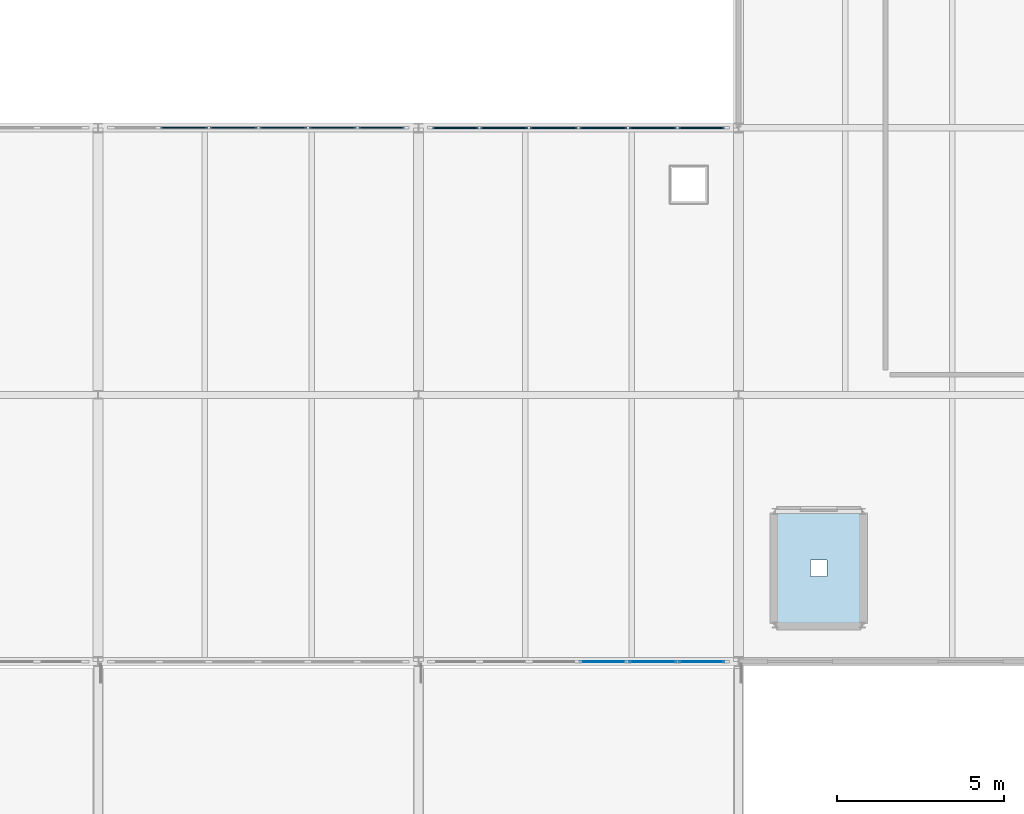
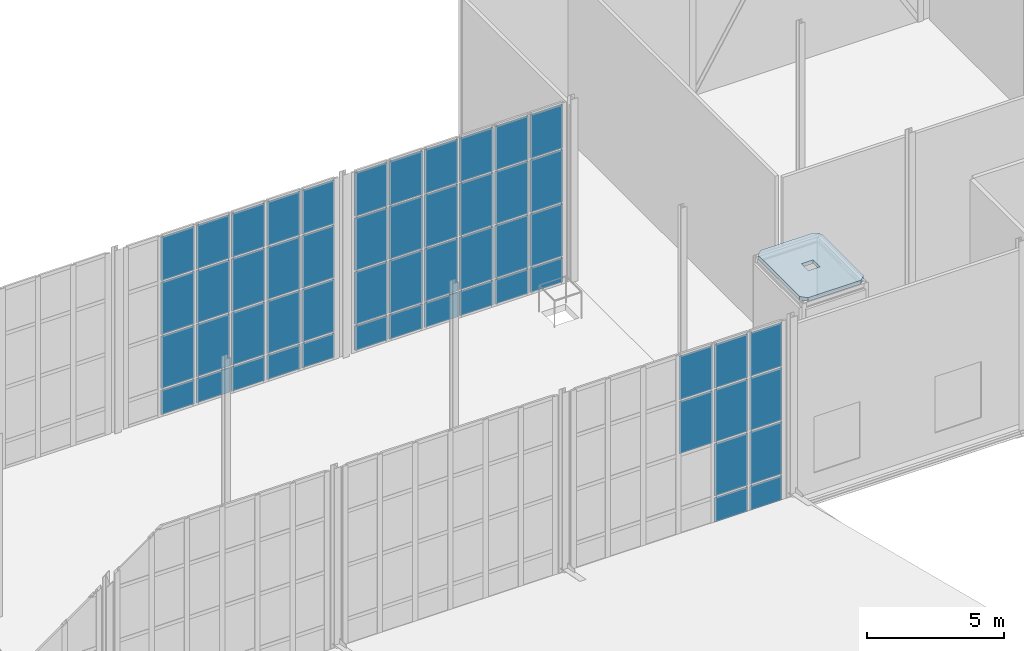
# One storey, part 54 of 73: 54 plates, 1 slab, 3 elements without a shape of their own.
"""IFC4 building model written with IfcOpenShell, lengths in metres."""

from ifc_helpers import new_model, si_unit, direction, frame, origin, origin_2d, place, context, subcontext, project, spatial, polyline, rectangle, outline, extrude, material, layer, layer_set, type_object, element, aggregate, save


model = new_model("IFC4")

# Units and contexts
model_context = context("Model", 3, precision=1e-05, world=origin(), true_north=direction((0.0, 1.0)))
body_context = subcontext(model_context, "Body", "Model", "MODEL_VIEW")
ifc_project = project(units=[si_unit("LENGTHUNIT", "METRE"), si_unit("AREAUNIT", "SQUARE_METRE"), si_unit("VOLUMEUNIT", "CUBIC_METRE"), si_unit("PLANEANGLEUNIT", "RADIAN"), si_unit("MASSUNIT", "GRAM", prefix="KILO")], contexts=[model_context])

# Site, building, storey
site_placement = place(None, origin())
site = spatial("IfcSite", under=ifc_project, at=site_placement, CompositionType="ELEMENT")
building_placement = place(site_placement, origin())
building = spatial("IfcBuilding", under=site, at=building_placement, Name="Alderhovde Museum", CompositionType="ELEMENT")
storey_placement = place(building_placement, frame((0.0, 0.0, 17.39990234375)))
storey = spatial("IfcBuildingStorey", under=building, at=storey_placement, Name="L04", CompositionType="ELEMENT", Elevation=17.39990234375)

# Curtain wall, plates
ifc_material_1 = material(Name="Triple-Glazed Bronze-Anodised Curtain Wall", Category="glass")
ifc_layer_1 = layer(ifc_material_1, 0.219970703125)
ifc_layer_set_1 = layer_set([ifc_layer_1], Name="Triple-Glazed Bronze-Anodised Curtain Wall")
curtain_wall_type = type_object("IfcCurtainWallType", Name="CW-UNIT-890x805", PredefinedType="USERDEFINED", material=ifc_layer_set_1)
curtain_wall_1_placement = place(storey_placement, origin())
curtain_wall_1 = element("IfcCurtainWall", 1, at=curtain_wall_1_placement, inside=storey, type_object=curtain_wall_type, Name="L04 Unitised Curtain Wall 88", ObjectType="UNITISED CURTAIN WALL", PredefinedType="USERDEFINED")
ifc_material_2 = material(Name="Triple-Glazed Low-E Laminated Glass", Category="glass")
ifc_layer_2 = layer(ifc_material_2, 0.028076171875)
ifc_layer_set_2 = layer_set([ifc_layer_2], Name="Triple-Glazed Low-E Laminated Glass")
plate_type_1 = type_object("IfcPlateType", Name="CWP-GLAZ-28", PredefinedType="CURTAIN_PANEL", material=ifc_layer_set_2)
plate_1_placement = place(storey_placement, frame((111.1416015625, 72.0, 3.6376953125), z_axis=(0.0, 0.0, 1.0), x_axis=(1.0, 0.0, 0.0)))
plate_1 = element("IfcPlate", 2, at=plate_1_placement, type_object=plate_type_1, Name="CW21 panel 4.3", PredefinedType="CURTAIN_PANEL", context=body_context, shape_type="SweptSolid", body=[
    extrude(rectangle(XDim=1.408447265625, YDim=0.028076171875, at=origin_2d()), origin(), (0.0, 0.0, 1.0), 2.324951171875),
])
plate_2_placement = place(storey_placement, frame((111.1416015625, 72.0, 6.03759765625), z_axis=(0.0, 0.0, 1.0), x_axis=(1.0, 0.0, 0.0)))
plate_2 = element("IfcPlate", 3, at=plate_2_placement, type_object=plate_type_1, Name="CW21 panel 4.4", PredefinedType="CURTAIN_PANEL", context=body_context, shape_type="SweptSolid", body=[
    extrude(rectangle(XDim=1.408447265625, YDim=0.028076171875, at=origin_2d()), origin(), (0.0, 0.0, 1.0), 1.9375),
])
plate_3_placement = place(storey_placement, frame((112.625, 72.0, 0.0751953125), z_axis=(0.0, 0.0, 1.0), x_axis=(1.0, 0.0, 0.0)))
plate_3 = element("IfcPlate", 4, at=plate_3_placement, type_object=plate_type_1, Name="CW21 panel 5.1", PredefinedType="CURTAIN_PANEL", context=body_context, shape_type="SweptSolid", body=[
    extrude(rectangle(XDim=1.408447265625, YDim=0.028076171875, at=origin_2d()), origin(), (0.0, 0.0, 1.0), 1.08740234375),
])
plate_4_placement = place(storey_placement, frame((112.625, 72.0, 1.23779296875), z_axis=(0.0, 0.0, 1.0), x_axis=(1.0, 0.0, 0.0)))
plate_4 = element("IfcPlate", 5, at=plate_4_placement, type_object=plate_type_1, Name="CW21 panel 5.2", PredefinedType="CURTAIN_PANEL", context=body_context, shape_type="SweptSolid", body=[
    extrude(rectangle(XDim=1.408447265625, YDim=0.028076171875, at=origin_2d()), origin(), (0.0, 0.0, 1.0), 2.324951171875),
])
plate_5_placement = place(storey_placement, frame((112.625, 72.0, 3.6376953125), z_axis=(0.0, 0.0, 1.0), x_axis=(1.0, 0.0, 0.0)))
plate_5 = element("IfcPlate", 6, at=plate_5_placement, type_object=plate_type_1, Name="CW21 panel 5.3", PredefinedType="CURTAIN_PANEL", context=body_context, shape_type="SweptSolid", body=[
    extrude(rectangle(XDim=1.408447265625, YDim=0.028076171875, at=origin_2d()), origin(), (0.0, 0.0, 1.0), 2.324951171875),
])
plate_6_placement = place(storey_placement, frame((112.625, 72.0, 6.03759765625), z_axis=(0.0, 0.0, 1.0), x_axis=(1.0, 0.0, 0.0)))
plate_6 = element("IfcPlate", 7, at=plate_6_placement, type_object=plate_type_1, Name="CW21 panel 5.4", PredefinedType="CURTAIN_PANEL", context=body_context, shape_type="SweptSolid", body=[
    extrude(rectangle(XDim=1.408447265625, YDim=0.028076171875, at=origin_2d()), origin(), (0.0, 0.0, 1.0), 1.9375),
])
plate_7_placement = place(storey_placement, frame((114.089599609375, 72.0, 0.0751953125), z_axis=(0.0, 0.0, 1.0), x_axis=(1.0, 0.0, 0.0)))
plate_7 = element("IfcPlate", 8, at=plate_7_placement, type_object=plate_type_1, Name="CW21 panel 6.1", PredefinedType="CURTAIN_PANEL", context=body_context, shape_type="SweptSolid", body=[
    extrude(rectangle(XDim=1.370849609375, YDim=0.028076171875, at=origin_2d()), origin(), (0.0, 0.0, 1.0), 1.08740234375),
])
plate_8_placement = place(storey_placement, frame((114.089599609375, 72.0, 1.23779296875), z_axis=(0.0, 0.0, 1.0), x_axis=(1.0, 0.0, 0.0)))
plate_8 = element("IfcPlate", 9, at=plate_8_placement, type_object=plate_type_1, Name="CW21 panel 6.2", PredefinedType="CURTAIN_PANEL", context=body_context, shape_type="SweptSolid", body=[
    extrude(rectangle(XDim=1.370849609375, YDim=0.028076171875, at=origin_2d()), origin(), (0.0, 0.0, 1.0), 2.324951171875),
])
plate_9_placement = place(storey_placement, frame((114.089599609375, 72.0, 3.6376953125), z_axis=(0.0, 0.0, 1.0), x_axis=(1.0, 0.0, 0.0)))
plate_9 = element("IfcPlate", 10, at=plate_9_placement, type_object=plate_type_1, Name="CW21 panel 6.3", PredefinedType="CURTAIN_PANEL", context=body_context, shape_type="SweptSolid", body=[
    extrude(rectangle(XDim=1.370849609375, YDim=0.028076171875, at=origin_2d()), origin(), (0.0, 0.0, 1.0), 2.324951171875),
])
plate_10_placement = place(storey_placement, frame((114.089599609375, 72.0, 6.03759765625), z_axis=(0.0, 0.0, 1.0), x_axis=(1.0, 0.0, 0.0)))
plate_10 = element("IfcPlate", 11, at=plate_10_placement, type_object=plate_type_1, Name="CW21 panel 6.4", PredefinedType="CURTAIN_PANEL", context=body_context, shape_type="SweptSolid", body=[
    extrude(rectangle(XDim=1.370849609375, YDim=0.028076171875, at=origin_2d()), origin(), (0.0, 0.0, 1.0), 1.9375),
])
aggregate(curtain_wall_1, [plate_1, plate_2, plate_3, plate_4, plate_5, plate_6, plate_7, plate_8, plate_9, plate_10])

curtain_wall_2_placement = place(storey_placement, origin())
curtain_wall_2 = element("IfcCurtainWall", 12, at=curtain_wall_2_placement, inside=storey, type_object=curtain_wall_type, Name="L04 Unitised Curtain Wall 85", ObjectType="UNITISED CURTAIN WALL", PredefinedType="USERDEFINED")
ifc_material_3 = material(Name="Triple-Glazed Low-E Laminated Glass", Category="glass")
ifc_layer_3 = layer(ifc_material_3, 0.035888671875)
ifc_layer_set_3 = layer_set([ifc_layer_3], Name="Triple-Glazed Low-E Laminated Glass")
plate_type_2 = type_object("IfcPlateType", Name="CWP-GLAZ-36", PredefinedType="CURTAIN_PANEL", material=ifc_layer_set_3)
plate_11_placement = place(storey_placement, frame((98.574951171875, 88.0, 0.0751953125), z_axis=(0.0, 0.0, 1.0), x_axis=(1.0, 0.0, 0.0)))
plate_11 = element("IfcPlate", 13, at=plate_11_placement, type_object=plate_type_2, Name="CW21 panel 2.1", PredefinedType="CURTAIN_PANEL", context=body_context, shape_type="SweptSolid", body=[
    extrude(rectangle(XDim=1.408447265625, YDim=0.035888671875, at=origin_2d()), origin(), (0.0, 0.0, 1.0), 1.08740234375),
])
plate_12_placement = place(storey_placement, frame((98.574951171875, 88.0, 1.23779296875), z_axis=(0.0, 0.0, 1.0), x_axis=(1.0, 0.0, 0.0)))
plate_12 = element("IfcPlate", 14, at=plate_12_placement, type_object=plate_type_2, Name="CW21 panel 2.2", PredefinedType="CURTAIN_PANEL", context=body_context, shape_type="SweptSolid", body=[
    extrude(rectangle(XDim=1.408447265625, YDim=0.035888671875, at=origin_2d()), origin(), (0.0, 0.0, 1.0), 2.324951171875),
])
plate_13_placement = place(storey_placement, frame((98.574951171875, 88.0, 3.6376953125), z_axis=(0.0, 0.0, 1.0), x_axis=(1.0, 0.0, 0.0)))
plate_13 = element("IfcPlate", 15, at=plate_13_placement, type_object=plate_type_2, Name="CW21 panel 2.3", PredefinedType="CURTAIN_PANEL", context=body_context, shape_type="SweptSolid", body=[
    extrude(rectangle(XDim=1.408447265625, YDim=0.035888671875, at=origin_2d()), origin(), (0.0, 0.0, 1.0), 2.324951171875),
])
plate_14_placement = place(storey_placement, frame((98.574951171875, 88.0, 6.03759765625), z_axis=(0.0, 0.0, 1.0), x_axis=(1.0, 0.0, 0.0)))
plate_14 = element("IfcPlate", 16, at=plate_14_placement, type_object=plate_type_2, Name="CW21 panel 2.4", PredefinedType="CURTAIN_PANEL", context=body_context, shape_type="SweptSolid", body=[
    extrude(rectangle(XDim=1.408447265625, YDim=0.035888671875, at=origin_2d()), origin(), (0.0, 0.0, 1.0), 1.9375),
])
plate_15_placement = place(storey_placement, frame((100.058349609375, 88.0, 0.0751953125), z_axis=(0.0, 0.0, 1.0), x_axis=(1.0, 0.0, 0.0)))
plate_15 = element("IfcPlate", 17, at=plate_15_placement, type_object=plate_type_2, Name="CW21 panel 3.1", PredefinedType="CURTAIN_PANEL", context=body_context, shape_type="SweptSolid", body=[
    extrude(rectangle(XDim=1.408447265625, YDim=0.035888671875, at=origin_2d()), origin(), (0.0, 0.0, 1.0), 1.08740234375),
])
plate_16_placement = place(storey_placement, frame((100.058349609375, 88.0, 1.23779296875), z_axis=(0.0, 0.0, 1.0), x_axis=(1.0, 0.0, 0.0)))
plate_16 = element("IfcPlate", 18, at=plate_16_placement, type_object=plate_type_2, Name="CW21 panel 3.2", PredefinedType="CURTAIN_PANEL", context=body_context, shape_type="SweptSolid", body=[
    extrude(rectangle(XDim=1.408447265625, YDim=0.035888671875, at=origin_2d()), origin(), (0.0, 0.0, 1.0), 2.324951171875),
])
plate_17_placement = place(storey_placement, frame((100.058349609375, 88.0, 3.6376953125), z_axis=(0.0, 0.0, 1.0), x_axis=(1.0, 0.0, 0.0)))
plate_17 = element("IfcPlate", 19, at=plate_17_placement, type_object=plate_type_2, Name="CW21 panel 3.3", PredefinedType="CURTAIN_PANEL", context=body_context, shape_type="SweptSolid", body=[
    extrude(rectangle(XDim=1.408447265625, YDim=0.035888671875, at=origin_2d()), origin(), (0.0, 0.0, 1.0), 2.324951171875),
])
plate_18_placement = place(storey_placement, frame((100.058349609375, 88.0, 6.03759765625), z_axis=(0.0, 0.0, 1.0), x_axis=(1.0, 0.0, 0.0)))
plate_18 = element("IfcPlate", 20, at=plate_18_placement, type_object=plate_type_2, Name="CW21 panel 3.4", PredefinedType="CURTAIN_PANEL", context=body_context, shape_type="SweptSolid", body=[
    extrude(rectangle(XDim=1.408447265625, YDim=0.035888671875, at=origin_2d()), origin(), (0.0, 0.0, 1.0), 1.9375),
])
plate_19_placement = place(storey_placement, frame((101.541748046875, 88.0, 0.0751953125), z_axis=(0.0, 0.0, 1.0), x_axis=(1.0, 0.0, 0.0)))
plate_19 = element("IfcPlate", 21, at=plate_19_placement, type_object=plate_type_2, Name="CW21 panel 4.1", PredefinedType="CURTAIN_PANEL", context=body_context, shape_type="SweptSolid", body=[
    extrude(rectangle(XDim=1.408447265625, YDim=0.035888671875, at=origin_2d()), origin(), (0.0, 0.0, 1.0), 1.08740234375),
])
plate_20_placement = place(storey_placement, frame((101.541748046875, 88.0, 1.23779296875), z_axis=(0.0, 0.0, 1.0), x_axis=(1.0, 0.0, 0.0)))
plate_20 = element("IfcPlate", 22, at=plate_20_placement, type_object=plate_type_2, Name="CW21 panel 4.2", PredefinedType="CURTAIN_PANEL", context=body_context, shape_type="SweptSolid", body=[
    extrude(rectangle(XDim=1.408447265625, YDim=0.035888671875, at=origin_2d()), origin(), (0.0, 0.0, 1.0), 2.324951171875),
])
plate_21_placement = place(storey_placement, frame((101.541748046875, 88.0, 3.6376953125), z_axis=(0.0, 0.0, 1.0), x_axis=(1.0, 0.0, 0.0)))
plate_21 = element("IfcPlate", 23, at=plate_21_placement, type_object=plate_type_2, Name="CW21 panel 4.3", PredefinedType="CURTAIN_PANEL", context=body_context, shape_type="SweptSolid", body=[
    extrude(rectangle(XDim=1.408447265625, YDim=0.035888671875, at=origin_2d()), origin(), (0.0, 0.0, 1.0), 2.324951171875),
])
plate_22_placement = place(storey_placement, frame((101.541748046875, 88.0, 6.03759765625), z_axis=(0.0, 0.0, 1.0), x_axis=(1.0, 0.0, 0.0)))
plate_22 = element("IfcPlate", 24, at=plate_22_placement, type_object=plate_type_2, Name="CW21 panel 4.4", PredefinedType="CURTAIN_PANEL", context=body_context, shape_type="SweptSolid", body=[
    extrude(rectangle(XDim=1.408447265625, YDim=0.035888671875, at=origin_2d()), origin(), (0.0, 0.0, 1.0), 1.9375),
])
plate_23_placement = place(storey_placement, frame((103.02490234375, 88.0, 0.0751953125), z_axis=(0.0, 0.0, 1.0), x_axis=(1.0, 0.0, 0.0)))
plate_23 = element("IfcPlate", 25, at=plate_23_placement, type_object=plate_type_2, Name="CW21 panel 5.1", PredefinedType="CURTAIN_PANEL", context=body_context, shape_type="SweptSolid", body=[
    extrude(rectangle(XDim=1.408447265625, YDim=0.035888671875, at=origin_2d()), origin(), (0.0, 0.0, 1.0), 1.08740234375),
])
plate_24_placement = place(storey_placement, frame((103.02490234375, 88.0, 1.23779296875), z_axis=(0.0, 0.0, 1.0), x_axis=(1.0, 0.0, 0.0)))
plate_24 = element("IfcPlate", 26, at=plate_24_placement, type_object=plate_type_2, Name="CW21 panel 5.2", PredefinedType="CURTAIN_PANEL", context=body_context, shape_type="SweptSolid", body=[
    extrude(rectangle(XDim=1.408447265625, YDim=0.035888671875, at=origin_2d()), origin(), (0.0, 0.0, 1.0), 2.324951171875),
])
plate_25_placement = place(storey_placement, frame((103.02490234375, 88.0, 3.6376953125), z_axis=(0.0, 0.0, 1.0), x_axis=(1.0, 0.0, 0.0)))
plate_25 = element("IfcPlate", 27, at=plate_25_placement, type_object=plate_type_2, Name="CW21 panel 5.3", PredefinedType="CURTAIN_PANEL", context=body_context, shape_type="SweptSolid", body=[
    extrude(rectangle(XDim=1.408447265625, YDim=0.035888671875, at=origin_2d()), origin(), (0.0, 0.0, 1.0), 2.324951171875),
])
plate_26_placement = place(storey_placement, frame((103.02490234375, 88.0, 6.03759765625), z_axis=(0.0, 0.0, 1.0), x_axis=(1.0, 0.0, 0.0)))
plate_26 = element("IfcPlate", 28, at=plate_26_placement, type_object=plate_type_2, Name="CW21 panel 5.4", PredefinedType="CURTAIN_PANEL", context=body_context, shape_type="SweptSolid", body=[
    extrude(rectangle(XDim=1.408447265625, YDim=0.035888671875, at=origin_2d()), origin(), (0.0, 0.0, 1.0), 1.9375),
])
plate_27_placement = place(storey_placement, frame((104.489501953125, 88.0, 0.0751953125), z_axis=(0.0, 0.0, 1.0), x_axis=(1.0, 0.0, 0.0)))
plate_27 = element("IfcPlate", 29, at=plate_27_placement, type_object=plate_type_2, Name="CW21 panel 6.1", PredefinedType="CURTAIN_PANEL", context=body_context, shape_type="SweptSolid", body=[
    extrude(rectangle(XDim=1.370849609375, YDim=0.035888671875, at=origin_2d()), origin(), (0.0, 0.0, 1.0), 1.08740234375),
])
plate_28_placement = place(storey_placement, frame((104.489501953125, 88.0, 1.23779296875), z_axis=(0.0, 0.0, 1.0), x_axis=(1.0, 0.0, 0.0)))
plate_28 = element("IfcPlate", 30, at=plate_28_placement, type_object=plate_type_2, Name="CW21 panel 6.2", PredefinedType="CURTAIN_PANEL", context=body_context, shape_type="SweptSolid", body=[
    extrude(rectangle(XDim=1.370849609375, YDim=0.035888671875, at=origin_2d()), origin(), (0.0, 0.0, 1.0), 2.324951171875),
])
plate_29_placement = place(storey_placement, frame((104.489501953125, 88.0, 3.6376953125), z_axis=(0.0, 0.0, 1.0), x_axis=(1.0, 0.0, 0.0)))
plate_29 = element("IfcPlate", 31, at=plate_29_placement, type_object=plate_type_2, Name="CW21 panel 6.3", PredefinedType="CURTAIN_PANEL", context=body_context, shape_type="SweptSolid", body=[
    extrude(rectangle(XDim=1.370849609375, YDim=0.035888671875, at=origin_2d()), origin(), (0.0, 0.0, 1.0), 2.324951171875),
])
plate_30_placement = place(storey_placement, frame((104.489501953125, 88.0, 6.03759765625), z_axis=(0.0, 0.0, 1.0), x_axis=(1.0, 0.0, 0.0)))
plate_30 = element("IfcPlate", 32, at=plate_30_placement, type_object=plate_type_2, Name="CW21 panel 6.4", PredefinedType="CURTAIN_PANEL", context=body_context, shape_type="SweptSolid", body=[
    extrude(rectangle(XDim=1.370849609375, YDim=0.035888671875, at=origin_2d()), origin(), (0.0, 0.0, 1.0), 1.9375),
])
aggregate(curtain_wall_2, [plate_11, plate_12, plate_13, plate_14, plate_15, plate_16, plate_17, plate_18, plate_19, plate_20, plate_21, plate_22, plate_23, plate_24, plate_25, plate_26, plate_27, plate_28, plate_29, plate_30])

curtain_wall_3_placement = place(storey_placement, origin())
curtain_wall_3 = element("IfcCurtainWall", 33, at=curtain_wall_3_placement, inside=storey, type_object=curtain_wall_type, Name="L04 Unitised Curtain Wall 87", ObjectType="UNITISED CURTAIN WALL", PredefinedType="USERDEFINED")
ifc_material_4 = material(Name="Triple-Glazed Low-E Laminated Glass", Category="glass")
ifc_layer_4 = layer(ifc_material_4, 0.052001953125)
ifc_layer_set_4 = layer_set([ifc_layer_4], Name="Triple-Glazed Low-E Laminated Glass")
plate_type_3 = type_object("IfcPlateType", Name="CWP-GLAZ-52", PredefinedType="CURTAIN_PANEL", material=ifc_layer_set_4)
plate_31_placement = place(storey_placement, frame((106.71044921875, 88.0, 0.0751953125), z_axis=(0.0, 0.0, 1.0), x_axis=(1.0, 0.0, 0.0)))
plate_31 = element("IfcPlate", 34, at=plate_31_placement, type_object=plate_type_3, Name="CW21 panel 1.1", PredefinedType="CURTAIN_PANEL", context=body_context, shape_type="SweptSolid", body=[
    extrude(rectangle(XDim=1.370849609375, YDim=0.052001953125, at=origin_2d()), origin(), (0.0, 0.0, 1.0), 1.08740234375),
])
plate_32_placement = place(storey_placement, frame((106.71044921875, 88.0, 1.23779296875), z_axis=(0.0, 0.0, 1.0), x_axis=(1.0, 0.0, 0.0)))
plate_32 = element("IfcPlate", 35, at=plate_32_placement, type_object=plate_type_3, Name="CW21 panel 1.2", PredefinedType="CURTAIN_PANEL", context=body_context, shape_type="SweptSolid", body=[
    extrude(rectangle(XDim=1.370849609375, YDim=0.052001953125, at=origin_2d()), origin(), (0.0, 0.0, 1.0), 2.324951171875),
])
plate_33_placement = place(storey_placement, frame((106.71044921875, 88.0, 3.6376953125), z_axis=(0.0, 0.0, 1.0), x_axis=(1.0, 0.0, 0.0)))
plate_33 = element("IfcPlate", 36, at=plate_33_placement, type_object=plate_type_3, Name="CW21 panel 1.3", PredefinedType="CURTAIN_PANEL", context=body_context, shape_type="SweptSolid", body=[
    extrude(rectangle(XDim=1.370849609375, YDim=0.052001953125, at=origin_2d()), origin(), (0.0, 0.0, 1.0), 2.324951171875),
])
plate_34_placement = place(storey_placement, frame((106.71044921875, 88.0, 6.03759765625), z_axis=(0.0, 0.0, 1.0), x_axis=(1.0, 0.0, 0.0)))
plate_34 = element("IfcPlate", 37, at=plate_34_placement, type_object=plate_type_3, Name="CW21 panel 1.4", PredefinedType="CURTAIN_PANEL", context=body_context, shape_type="SweptSolid", body=[
    extrude(rectangle(XDim=1.370849609375, YDim=0.052001953125, at=origin_2d()), origin(), (0.0, 0.0, 1.0), 1.9375),
])
plate_35_placement = place(storey_placement, frame((108.175048828125, 88.0, 0.0751953125), z_axis=(0.0, 0.0, 1.0), x_axis=(1.0, 0.0, 0.0)))
plate_35 = element("IfcPlate", 38, at=plate_35_placement, type_object=plate_type_3, Name="CW21 panel 2.1", PredefinedType="CURTAIN_PANEL", context=body_context, shape_type="SweptSolid", body=[
    extrude(rectangle(XDim=1.408447265625, YDim=0.052001953125, at=origin_2d()), origin(), (0.0, 0.0, 1.0), 1.08740234375),
])
plate_36_placement = place(storey_placement, frame((108.175048828125, 88.0, 1.23779296875), z_axis=(0.0, 0.0, 1.0), x_axis=(1.0, 0.0, 0.0)))
plate_36 = element("IfcPlate", 39, at=plate_36_placement, type_object=plate_type_3, Name="CW21 panel 2.2", PredefinedType="CURTAIN_PANEL", context=body_context, shape_type="SweptSolid", body=[
    extrude(rectangle(XDim=1.408447265625, YDim=0.052001953125, at=origin_2d()), origin(), (0.0, 0.0, 1.0), 2.324951171875),
])
plate_37_placement = place(storey_placement, frame((108.175048828125, 88.0, 3.6376953125), z_axis=(0.0, 0.0, 1.0), x_axis=(1.0, 0.0, 0.0)))
plate_37 = element("IfcPlate", 40, at=plate_37_placement, type_object=plate_type_3, Name="CW21 panel 2.3", PredefinedType="CURTAIN_PANEL", context=body_context, shape_type="SweptSolid", body=[
    extrude(rectangle(XDim=1.408447265625, YDim=0.052001953125, at=origin_2d()), origin(), (0.0, 0.0, 1.0), 2.324951171875),
])
plate_38_placement = place(storey_placement, frame((108.175048828125, 88.0, 6.03759765625), z_axis=(0.0, 0.0, 1.0), x_axis=(1.0, 0.0, 0.0)))
plate_38 = element("IfcPlate", 41, at=plate_38_placement, type_object=plate_type_3, Name="CW21 panel 2.4", PredefinedType="CURTAIN_PANEL", context=body_context, shape_type="SweptSolid", body=[
    extrude(rectangle(XDim=1.408447265625, YDim=0.052001953125, at=origin_2d()), origin(), (0.0, 0.0, 1.0), 1.9375),
])
plate_39_placement = place(storey_placement, frame((109.658447265625, 88.0, 0.0751953125), z_axis=(0.0, 0.0, 1.0), x_axis=(1.0, 0.0, 0.0)))
plate_39 = element("IfcPlate", 42, at=plate_39_placement, type_object=plate_type_3, Name="CW21 panel 3.1", PredefinedType="CURTAIN_PANEL", context=body_context, shape_type="SweptSolid", body=[
    extrude(rectangle(XDim=1.408447265625, YDim=0.052001953125, at=origin_2d()), origin(), (0.0, 0.0, 1.0), 1.08740234375),
])
plate_40_placement = place(storey_placement, frame((109.658447265625, 88.0, 1.23779296875), z_axis=(0.0, 0.0, 1.0), x_axis=(1.0, 0.0, 0.0)))
plate_40 = element("IfcPlate", 43, at=plate_40_placement, type_object=plate_type_3, Name="CW21 panel 3.2", PredefinedType="CURTAIN_PANEL", context=body_context, shape_type="SweptSolid", body=[
    extrude(rectangle(XDim=1.408447265625, YDim=0.052001953125, at=origin_2d()), origin(), (0.0, 0.0, 1.0), 2.324951171875),
])
plate_41_placement = place(storey_placement, frame((109.658447265625, 88.0, 3.6376953125), z_axis=(0.0, 0.0, 1.0), x_axis=(1.0, 0.0, 0.0)))
plate_41 = element("IfcPlate", 44, at=plate_41_placement, type_object=plate_type_3, Name="CW21 panel 3.3", PredefinedType="CURTAIN_PANEL", context=body_context, shape_type="SweptSolid", body=[
    extrude(rectangle(XDim=1.408447265625, YDim=0.052001953125, at=origin_2d()), origin(), (0.0, 0.0, 1.0), 2.324951171875),
])
plate_42_placement = place(storey_placement, frame((109.658447265625, 88.0, 6.03759765625), z_axis=(0.0, 0.0, 1.0), x_axis=(1.0, 0.0, 0.0)))
plate_42 = element("IfcPlate", 45, at=plate_42_placement, type_object=plate_type_3, Name="CW21 panel 3.4", PredefinedType="CURTAIN_PANEL", context=body_context, shape_type="SweptSolid", body=[
    extrude(rectangle(XDim=1.408447265625, YDim=0.052001953125, at=origin_2d()), origin(), (0.0, 0.0, 1.0), 1.9375),
])
plate_43_placement = place(storey_placement, frame((111.1416015625, 88.0, 0.0751953125), z_axis=(0.0, 0.0, 1.0), x_axis=(1.0, 0.0, 0.0)))
plate_43 = element("IfcPlate", 46, at=plate_43_placement, type_object=plate_type_3, Name="CW21 panel 4.1", PredefinedType="CURTAIN_PANEL", context=body_context, shape_type="SweptSolid", body=[
    extrude(rectangle(XDim=1.408447265625, YDim=0.052001953125, at=origin_2d()), origin(), (0.0, 0.0, 1.0), 1.08740234375),
])
plate_44_placement = place(storey_placement, frame((111.1416015625, 88.0, 1.23779296875), z_axis=(0.0, 0.0, 1.0), x_axis=(1.0, 0.0, 0.0)))
plate_44 = element("IfcPlate", 47, at=plate_44_placement, type_object=plate_type_3, Name="CW21 panel 4.2", PredefinedType="CURTAIN_PANEL", context=body_context, shape_type="SweptSolid", body=[
    extrude(rectangle(XDim=1.408447265625, YDim=0.052001953125, at=origin_2d()), origin(), (0.0, 0.0, 1.0), 2.324951171875),
])
plate_45_placement = place(storey_placement, frame((111.1416015625, 88.0, 3.6376953125), z_axis=(0.0, 0.0, 1.0), x_axis=(1.0, 0.0, 0.0)))
plate_45 = element("IfcPlate", 48, at=plate_45_placement, type_object=plate_type_3, Name="CW21 panel 4.3", PredefinedType="CURTAIN_PANEL", context=body_context, shape_type="SweptSolid", body=[
    extrude(rectangle(XDim=1.408447265625, YDim=0.052001953125, at=origin_2d()), origin(), (0.0, 0.0, 1.0), 2.324951171875),
])
plate_46_placement = place(storey_placement, frame((111.1416015625, 88.0, 6.03759765625), z_axis=(0.0, 0.0, 1.0), x_axis=(1.0, 0.0, 0.0)))
plate_46 = element("IfcPlate", 49, at=plate_46_placement, type_object=plate_type_3, Name="CW21 panel 4.4", PredefinedType="CURTAIN_PANEL", context=body_context, shape_type="SweptSolid", body=[
    extrude(rectangle(XDim=1.408447265625, YDim=0.052001953125, at=origin_2d()), origin(), (0.0, 0.0, 1.0), 1.9375),
])
plate_47_placement = place(storey_placement, frame((112.625, 88.0, 0.0751953125), z_axis=(0.0, 0.0, 1.0), x_axis=(1.0, 0.0, 0.0)))
plate_47 = element("IfcPlate", 50, at=plate_47_placement, type_object=plate_type_3, Name="CW21 panel 5.1", PredefinedType="CURTAIN_PANEL", context=body_context, shape_type="SweptSolid", body=[
    extrude(rectangle(XDim=1.408447265625, YDim=0.052001953125, at=origin_2d()), origin(), (0.0, 0.0, 1.0), 1.08740234375),
])
plate_48_placement = place(storey_placement, frame((112.625, 88.0, 1.23779296875), z_axis=(0.0, 0.0, 1.0), x_axis=(1.0, 0.0, 0.0)))
plate_48 = element("IfcPlate", 51, at=plate_48_placement, type_object=plate_type_3, Name="CW21 panel 5.2", PredefinedType="CURTAIN_PANEL", context=body_context, shape_type="SweptSolid", body=[
    extrude(rectangle(XDim=1.408447265625, YDim=0.052001953125, at=origin_2d()), origin(), (0.0, 0.0, 1.0), 2.324951171875),
])
plate_49_placement = place(storey_placement, frame((112.625, 88.0, 3.6376953125), z_axis=(0.0, 0.0, 1.0), x_axis=(1.0, 0.0, 0.0)))
plate_49 = element("IfcPlate", 52, at=plate_49_placement, type_object=plate_type_3, Name="CW21 panel 5.3", PredefinedType="CURTAIN_PANEL", context=body_context, shape_type="SweptSolid", body=[
    extrude(rectangle(XDim=1.408447265625, YDim=0.052001953125, at=origin_2d()), origin(), (0.0, 0.0, 1.0), 2.324951171875),
])
plate_50_placement = place(storey_placement, frame((112.625, 88.0, 6.03759765625), z_axis=(0.0, 0.0, 1.0), x_axis=(1.0, 0.0, 0.0)))
plate_50 = element("IfcPlate", 53, at=plate_50_placement, type_object=plate_type_3, Name="CW21 panel 5.4", PredefinedType="CURTAIN_PANEL", context=body_context, shape_type="SweptSolid", body=[
    extrude(rectangle(XDim=1.408447265625, YDim=0.052001953125, at=origin_2d()), origin(), (0.0, 0.0, 1.0), 1.9375),
])
plate_51_placement = place(storey_placement, frame((114.089599609375, 88.0, 0.0751953125), z_axis=(0.0, 0.0, 1.0), x_axis=(1.0, 0.0, 0.0)))
plate_51 = element("IfcPlate", 54, at=plate_51_placement, type_object=plate_type_3, Name="CW21 panel 6.1", PredefinedType="CURTAIN_PANEL", context=body_context, shape_type="SweptSolid", body=[
    extrude(rectangle(XDim=1.370849609375, YDim=0.052001953125, at=origin_2d()), origin(), (0.0, 0.0, 1.0), 1.08740234375),
])
plate_52_placement = place(storey_placement, frame((114.089599609375, 88.0, 1.23779296875), z_axis=(0.0, 0.0, 1.0), x_axis=(1.0, 0.0, 0.0)))
plate_52 = element("IfcPlate", 55, at=plate_52_placement, type_object=plate_type_3, Name="CW21 panel 6.2", PredefinedType="CURTAIN_PANEL", context=body_context, shape_type="SweptSolid", body=[
    extrude(rectangle(XDim=1.370849609375, YDim=0.052001953125, at=origin_2d()), origin(), (0.0, 0.0, 1.0), 2.324951171875),
])
plate_53_placement = place(storey_placement, frame((114.089599609375, 88.0, 3.6376953125), z_axis=(0.0, 0.0, 1.0), x_axis=(1.0, 0.0, 0.0)))
plate_53 = element("IfcPlate", 56, at=plate_53_placement, type_object=plate_type_3, Name="CW21 panel 6.3", PredefinedType="CURTAIN_PANEL", context=body_context, shape_type="SweptSolid", body=[
    extrude(rectangle(XDim=1.370849609375, YDim=0.052001953125, at=origin_2d()), origin(), (0.0, 0.0, 1.0), 2.324951171875),
])
plate_54_placement = place(storey_placement, frame((114.089599609375, 88.0, 6.03759765625), z_axis=(0.0, 0.0, 1.0), x_axis=(1.0, 0.0, 0.0)))
plate_54 = element("IfcPlate", 57, at=plate_54_placement, type_object=plate_type_3, Name="CW21 panel 6.4", PredefinedType="CURTAIN_PANEL", context=body_context, shape_type="SweptSolid", body=[
    extrude(rectangle(XDim=1.370849609375, YDim=0.052001953125, at=origin_2d()), origin(), (0.0, 0.0, 1.0), 1.9375),
])
aggregate(curtain_wall_3, [plate_31, plate_32, plate_33, plate_34, plate_35, plate_36, plate_37, plate_38, plate_39, plate_40, plate_41, plate_42, plate_43, plate_44, plate_45, plate_46, plate_47, plate_48, plate_49, plate_50, plate_51, plate_52, plate_53, plate_54])

# Slab
ifc_material_5 = material(Name="Concrete C35/45", Category="concrete")
ifc_layer_5 = layer(ifc_material_5, 0.159912109375)
ifc_layer_set_5 = layer_set([ifc_layer_5], Name="Concrete C35/45")
slab_type = type_object("IfcSlabType", Name="SLB-CAP-160", PredefinedType="ROOF", material=ifc_layer_set_5)
slab_placement = place(storey_placement, frame((0.0, 0.0, 7.66015625)))
element("IfcSlab", 58, at=slab_placement, inside=storey, type_object=slab_type, Name="Passenger Lift PL-03 Overrun Shaft Cap", PredefinedType="ROOF", context=body_context, shape_type="SweptSolid", body=[
    extrude(outline(polyline([(116.47998046875, 73.06005859375), (118.719970703125, 73.06005859375), (118.93994140625, 73.280029296875), (118.93994140625, 76.320068359375), (118.719970703125, 76.5400390625), (116.47998046875, 76.5400390625), (116.260009765625, 76.320068359375), (116.260009765625, 73.280029296875), (116.47998046875, 73.06005859375)]), holes=[polyline([(117.35009765625, 74.550048828125), (117.85009765625, 74.550048828125), (117.85009765625, 75.050048828125), (117.35009765625, 75.050048828125), (117.35009765625, 74.550048828125)])]), origin(), (0.0, 0.0, 1.0), 0.159912109375),
])

save(model, "model.ifc")
